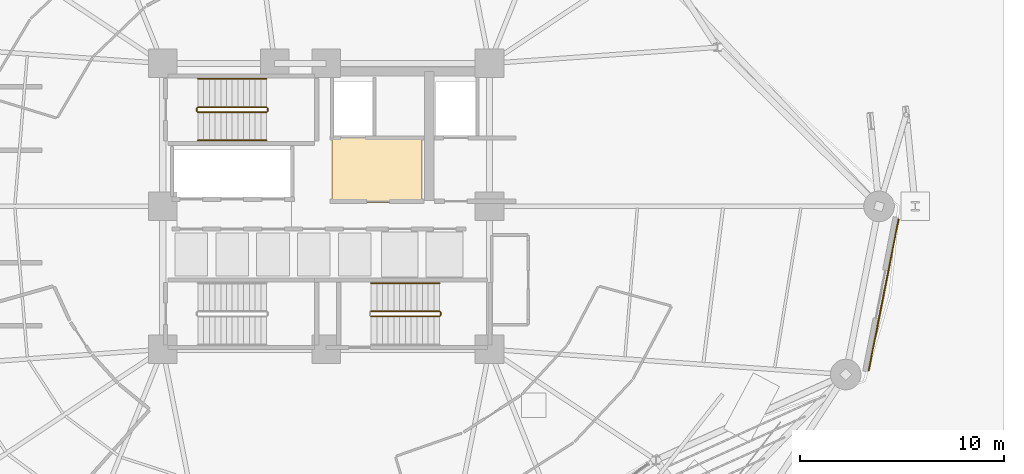
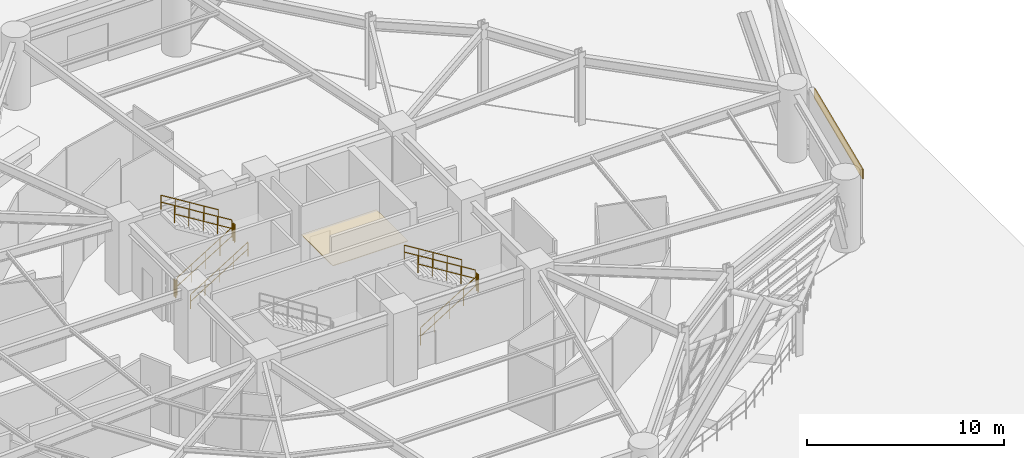
# One storey, part 37 of 40: 10 railings, 2 coverings.
"""IFC4 building model written with IfcOpenShell, lengths in metres."""

from ifc_helpers import new_model, si_unit, direction, frame, origin, origin_2d, place, context, subcontext, project, spatial, polyline, rectangle, outline, extrude, source, transform, mapped, material, layer, layer_set, type_object, element, save


model = new_model("IFC4")

# Units and contexts
model_context = context("Model", 3, precision=1e-05, world=origin(), true_north=direction((0.0, 1.0)))
body_context = subcontext(model_context, "Body", "Model", "MODEL_VIEW")
ifc_project = project(units=[si_unit("LENGTHUNIT", "METRE"), si_unit("AREAUNIT", "SQUARE_METRE"), si_unit("VOLUMEUNIT", "CUBIC_METRE"), si_unit("PLANEANGLEUNIT", "RADIAN"), si_unit("MASSUNIT", "GRAM", prefix="KILO")], contexts=[model_context])

# Site, building, storey
site_placement = place(None, origin())
site = spatial("IfcSite", under=ifc_project, at=site_placement, CompositionType="ELEMENT")
building_placement = place(site_placement, origin())
building = spatial("IfcBuilding", under=site, at=building_placement, Name="Kelanora Arch Commons", CompositionType="ELEMENT")
storey_placement = place(building_placement, origin())
storey = spatial("IfcBuildingStorey", under=building, at=storey_placement, Name="L00", CompositionType="ELEMENT", Elevation=0.0)

# Railings
ifc_material_1 = material(Name="Painted steel stair well guard", Category="steel")
railing_type_1 = type_object("IfcRailingType", Name="RAIL-STAIR-GRD", PredefinedType="GUARDRAIL", material=ifc_material_1)
railing_1_placement = place(storey_placement, frame((67.719970703125, 62.610107421875, 0.173095703125)))
element("IfcRailing", 1, at=railing_1_placement, inside=storey, type_object=railing_type_1, Name="L00 ST-T1 stair guard 1", PredefinedType="GUARDRAIL", context=body_context, shape_type="SweptSolid", body=[
    extrude(outline(polyline([(0.02392578125, 0.0), (0.011962890625, 0.020751953125), (-0.011962890625, 0.020751953125), (-0.02392578125, 0.0), (-0.011962890625, -0.020751953125), (0.011962890625, -0.020751953125), (0.02392578125, 0.0)])), frame((0.0, 0.0, 1.076171875), z_axis=(0.850623216509, 0.0, 0.525775754039), x_axis=(0.0, 1.0, 0.0)), (0.0, 0.0, 1.0), 3.9501953125),
    extrude(outline(polyline([(0.02392578125, 0.0), (0.011962890625, 0.020751953125), (-0.011962890625, 0.020751953125), (-0.02392578125, 0.0), (-0.011962890625, -0.020751953125), (0.011962890625, -0.020751953125), (0.02392578125, 0.0)])), frame((0.0, 0.0, 0.550048828125), z_axis=(0.850623216509, 0.0, 0.525775754039), x_axis=(0.0, 1.0, 0.0)), (0.0, 0.0, 1.0), 3.9501953125),
    extrude(outline(polyline([(0.02099609375, 0.0), (0.010498046875, 0.01806640625), (-0.010498046875, 0.01806640625), (-0.02099609375, 0.0), (-0.010498046875, -0.01806640625), (0.010498046875, -0.01806640625), (0.02099609375, 0.0)])), origin(), (0.0, 0.0, 1.0), 1.052001953125),
    extrude(outline(polyline([(0.02099609375, 0.0), (0.010498046875, 0.01806640625), (-0.010498046875, 0.01806640625), (-0.02099609375, 0.0), (-0.010498046875, -0.01806640625), (0.010498046875, -0.01806640625), (0.02099609375, 0.0)])), frame((0.840087890625, 0.0, 0.519287109375)), (0.0, 0.0, 1.0), 1.052001953125),
    extrude(outline(polyline([(0.02099609375, 0.0), (0.010498046875, 0.01806640625), (-0.010498046875, 0.01806640625), (-0.02099609375, 0.0), (-0.010498046875, -0.01806640625), (0.010498046875, -0.01806640625), (0.02099609375, 0.0)])), frame((1.68017578125, 0.0, 1.03857421875)), (0.0, 0.0, 1.0), 1.052001953125),
    extrude(outline(polyline([(0.02099609375, 0.0), (0.010498046875, 0.01806640625), (-0.010498046875, 0.01806640625), (-0.02099609375, 0.0), (-0.010498046875, -0.01806640625), (0.010498046875, -0.01806640625), (0.02099609375, 0.0)])), frame((2.52001953125, 0.0, 1.5576171875)), (0.0, 0.0, 1.0), 1.052001953125),
    extrude(outline(polyline([(0.02099609375, 0.0), (0.010498046875, 0.01806640625), (-0.010498046875, 0.01806640625), (-0.02099609375, 0.0), (-0.010498046875, -0.01806640625), (0.010498046875, -0.01806640625), (0.02099609375, 0.0)])), frame((3.360107421875, 0.0, 2.076904296875)), (0.0, 0.0, 1.0), 1.052001953125),
])
railing_2_placement = place(storey_placement, frame((71.1298828125, 62.659912109375, 2.25)))
element("IfcRailing", 2, at=railing_2_placement, inside=storey, type_object=railing_type_1, Name="L00 ST-T1 stair guard 2", PredefinedType="GUARDRAIL", context=body_context, shape_type="SweptSolid", body=[
    extrude(outline(polyline([(0.02392578125, 0.0), (0.011962890625, 0.020751953125), (-0.011962890625, 0.020751953125), (-0.02392578125, 0.0), (-0.011962890625, -0.020751953125), (0.011962890625, -0.020751953125), (0.02392578125, 0.0)])), frame((0.0, 0.0, 1.076171875), z_axis=(0.0, 1.0, 0.0), x_axis=(-1.0, 0.0, 0.0)), (0.0, 0.0, 1.0), 0.150146484375),
    extrude(outline(polyline([(0.02392578125, 0.0), (0.011962890625, 0.020751953125), (-0.011962890625, 0.020751953125), (-0.02392578125, 0.0), (-0.011962890625, -0.020751953125), (0.011962890625, -0.020751953125), (0.02392578125, 0.0)])), frame((0.0, 0.0, 0.550048828125), z_axis=(0.0, 1.0, 0.0), x_axis=(-1.0, 0.0, 0.0)), (0.0, 0.0, 1.0), 0.150146484375),
    extrude(outline(polyline([(0.02099609375, 0.0), (0.010498046875, 0.01806640625), (-0.010498046875, 0.01806640625), (-0.02099609375, 0.0), (-0.010498046875, -0.01806640625), (0.010498046875, -0.01806640625), (0.02099609375, 0.0)])), origin(), (0.0, 0.0, 1.0), 1.052001953125),
    extrude(outline(polyline([(0.02099609375, 0.0), (0.010498046875, 0.01806640625), (-0.010498046875, 0.01806640625), (-0.02099609375, 0.0), (-0.010498046875, -0.01806640625), (0.010498046875, -0.01806640625), (0.02099609375, 0.0)])), frame((0.0, 0.150146484375, 0.0)), (0.0, 0.0, 1.0), 1.052001953125),
])
railing_3_placement = place(storey_placement, frame((71.080078125, 62.860107421875, 2.423095703125)))
element("IfcRailing", 3, at=railing_3_placement, inside=storey, type_object=railing_type_1, Name="L00 ST-T1 stair guard 3", PredefinedType="GUARDRAIL", context=body_context, shape_type="SweptSolid", body=[
    extrude(outline(polyline([(0.02392578125, 0.0), (0.011962890625, 0.020751953125), (-0.011962890625, 0.020751953125), (-0.02392578125, 0.0), (-0.011962890625, -0.020751953125), (0.011962890625, -0.020751953125), (0.02392578125, 0.0)])), frame((0.0, 0.0, 1.076171875), z_axis=(-0.850623216509, 0.0, 0.525775754039), x_axis=(0.0, -1.0, 0.0)), (0.0, 0.0, 1.0), 3.9501953125),
    extrude(outline(polyline([(0.02392578125, 0.0), (0.011962890625, 0.020751953125), (-0.011962890625, 0.020751953125), (-0.02392578125, 0.0), (-0.011962890625, -0.020751953125), (0.011962890625, -0.020751953125), (0.02392578125, 0.0)])), frame((0.0, 0.0, 0.550048828125), z_axis=(-0.850623216509, 0.0, 0.525775754039), x_axis=(0.0, -1.0, 0.0)), (0.0, 0.0, 1.0), 3.9501953125),
    extrude(outline(polyline([(0.02099609375, 0.0), (0.010498046875, 0.01806640625), (-0.010498046875, 0.01806640625), (-0.02099609375, 0.0), (-0.010498046875, -0.01806640625), (0.010498046875, -0.01806640625), (0.02099609375, 0.0)])), origin(), (0.0, 0.0, 1.0), 1.052001953125),
    extrude(outline(polyline([(0.02099609375, 0.0), (0.010498046875, 0.01806640625), (-0.010498046875, 0.01806640625), (-0.02099609375, 0.0), (-0.010498046875, -0.01806640625), (0.010498046875, -0.01806640625), (0.02099609375, 0.0)])), frame((-0.840087890625, 0.0, 0.519287109375)), (0.0, 0.0, 1.0), 1.052001953125),
    extrude(outline(polyline([(0.02099609375, 0.0), (0.010498046875, 0.01806640625), (-0.010498046875, 0.01806640625), (-0.02099609375, 0.0), (-0.010498046875, -0.01806640625), (0.010498046875, -0.01806640625), (0.02099609375, 0.0)])), frame((-1.68017578125, 0.0, 1.03857421875)), (0.0, 0.0, 1.0), 1.052001953125),
    extrude(outline(polyline([(0.02099609375, 0.0), (0.010498046875, 0.01806640625), (-0.010498046875, 0.01806640625), (-0.02099609375, 0.0), (-0.010498046875, -0.01806640625), (0.010498046875, -0.01806640625), (0.02099609375, 0.0)])), frame((-2.52001953125, 0.0, 1.5576171875)), (0.0, 0.0, 1.0), 1.052001953125),
    extrude(outline(polyline([(0.02099609375, 0.0), (0.010498046875, 0.01806640625), (-0.010498046875, 0.01806640625), (-0.02099609375, 0.0), (-0.010498046875, -0.01806640625), (0.010498046875, -0.01806640625), (0.02099609375, 0.0)])), frame((-3.360107421875, 0.0, 2.076904296875)), (0.0, 0.0, 1.0), 1.052001953125),
])
railing_4_placement = place(storey_placement, frame((67.669921875, 62.659912109375, 0.0)))
element("IfcRailing", 4, at=railing_4_placement, inside=storey, type_object=railing_type_1, Name="L00 ST-T1 stair guard 4", PredefinedType="GUARDRAIL", context=body_context, shape_type="SweptSolid", body=[
    extrude(outline(polyline([(0.02392578125, 0.0), (0.011962890625, 0.020751953125), (-0.011962890625, 0.020751953125), (-0.02392578125, 0.0), (-0.011962890625, -0.020751953125), (0.011962890625, -0.020751953125), (0.02392578125, 0.0)])), frame((0.0, 0.0, 1.076171875), z_axis=(0.0, 1.0, 0.0), x_axis=(-1.0, 0.0, 0.0)), (0.0, 0.0, 1.0), 0.150146484375),
    extrude(outline(polyline([(0.02392578125, 0.0), (0.011962890625, 0.020751953125), (-0.011962890625, 0.020751953125), (-0.02392578125, 0.0), (-0.011962890625, -0.020751953125), (0.011962890625, -0.020751953125), (0.02392578125, 0.0)])), frame((0.0, 0.0, 0.550048828125), z_axis=(0.0, 1.0, 0.0), x_axis=(-1.0, 0.0, 0.0)), (0.0, 0.0, 1.0), 0.150146484375),
    extrude(outline(polyline([(0.02099609375, 0.0), (0.010498046875, 0.01806640625), (-0.010498046875, 0.01806640625), (-0.02099609375, 0.0), (-0.010498046875, -0.01806640625), (0.010498046875, -0.01806640625), (0.02099609375, 0.0)])), origin(), (0.0, 0.0, 1.0), 1.052001953125),
    extrude(outline(polyline([(0.02099609375, 0.0), (0.010498046875, 0.01806640625), (-0.010498046875, 0.01806640625), (-0.02099609375, 0.0), (-0.010498046875, -0.01806640625), (0.010498046875, -0.01806640625), (0.02099609375, 0.0)])), frame((0.0, 0.150146484375, 0.0)), (0.0, 0.0, 1.0), 1.052001953125),
])
railing_5_placement = place(storey_placement, frame((76.199951171875, 52.610107421875, 0.173095703125)))
element("IfcRailing", 5, at=railing_5_placement, inside=storey, type_object=railing_type_1, Name="L00 ST-T2 stair guard 1", PredefinedType="GUARDRAIL", context=body_context, shape_type="SweptSolid", body=[
    extrude(outline(polyline([(0.02392578125, 0.0), (0.011962890625, 0.020751953125), (-0.011962890625, 0.020751953125), (-0.02392578125, 0.0), (-0.011962890625, -0.020751953125), (0.011962890625, -0.020751953125), (0.02392578125, 0.0)])), frame((0.0, 0.0, 1.076171875), z_axis=(0.850623216509, 0.0, 0.525775754039), x_axis=(0.0, 1.0, 0.0)), (0.0, 0.0, 1.0), 3.9501953125),
    extrude(outline(polyline([(0.02392578125, 0.0), (0.011962890625, 0.020751953125), (-0.011962890625, 0.020751953125), (-0.02392578125, 0.0), (-0.011962890625, -0.020751953125), (0.011962890625, -0.020751953125), (0.02392578125, 0.0)])), frame((0.0, 0.0, 0.550048828125), z_axis=(0.850623216509, 0.0, 0.525775754039), x_axis=(0.0, 1.0, 0.0)), (0.0, 0.0, 1.0), 3.9501953125),
    extrude(outline(polyline([(0.02099609375, 0.0), (0.010498046875, 0.01806640625), (-0.010498046875, 0.01806640625), (-0.02099609375, 0.0), (-0.010498046875, -0.01806640625), (0.010498046875, -0.01806640625), (0.02099609375, 0.0)])), origin(), (0.0, 0.0, 1.0), 1.052001953125),
    extrude(outline(polyline([(0.02099609375, 0.0), (0.010498046875, 0.01806640625), (-0.010498046875, 0.01806640625), (-0.02099609375, 0.0), (-0.010498046875, -0.01806640625), (0.010498046875, -0.01806640625), (0.02099609375, 0.0)])), frame((0.840087890625, 0.0, 0.519287109375)), (0.0, 0.0, 1.0), 1.052001953125),
    extrude(outline(polyline([(0.02099609375, 0.0), (0.010498046875, 0.01806640625), (-0.010498046875, 0.01806640625), (-0.02099609375, 0.0), (-0.010498046875, -0.01806640625), (0.010498046875, -0.01806640625), (0.02099609375, 0.0)])), frame((1.68017578125, 0.0, 1.03857421875)), (0.0, 0.0, 1.0), 1.052001953125),
    extrude(outline(polyline([(0.02099609375, 0.0), (0.010498046875, 0.01806640625), (-0.010498046875, 0.01806640625), (-0.02099609375, 0.0), (-0.010498046875, -0.01806640625), (0.010498046875, -0.01806640625), (0.02099609375, 0.0)])), frame((2.52001953125, 0.0, 1.5576171875)), (0.0, 0.0, 1.0), 1.052001953125),
    extrude(outline(polyline([(0.02099609375, 0.0), (0.010498046875, 0.01806640625), (-0.010498046875, 0.01806640625), (-0.02099609375, 0.0), (-0.010498046875, -0.01806640625), (0.010498046875, -0.01806640625), (0.02099609375, 0.0)])), frame((3.360107421875, 0.0, 2.076904296875)), (0.0, 0.0, 1.0), 1.052001953125),
])
railing_6_placement = place(storey_placement, frame((79.610107421875, 52.659912109375, 2.25)))
element("IfcRailing", 6, at=railing_6_placement, inside=storey, type_object=railing_type_1, Name="L00 ST-T2 stair guard 2", PredefinedType="GUARDRAIL", context=body_context, shape_type="SweptSolid", body=[
    extrude(outline(polyline([(0.02392578125, 0.0), (0.011962890625, 0.020751953125), (-0.011962890625, 0.020751953125), (-0.02392578125, 0.0), (-0.011962890625, -0.020751953125), (0.011962890625, -0.020751953125), (0.02392578125, 0.0)])), frame((0.0, 0.0, 1.076171875), z_axis=(0.0, 1.0, 0.0), x_axis=(-1.0, 0.0, 0.0)), (0.0, 0.0, 1.0), 0.150146484375),
    extrude(outline(polyline([(0.02392578125, 0.0), (0.011962890625, 0.020751953125), (-0.011962890625, 0.020751953125), (-0.02392578125, 0.0), (-0.011962890625, -0.020751953125), (0.011962890625, -0.020751953125), (0.02392578125, 0.0)])), frame((0.0, 0.0, 0.550048828125), z_axis=(0.0, 1.0, 0.0), x_axis=(-1.0, 0.0, 0.0)), (0.0, 0.0, 1.0), 0.150146484375),
    extrude(outline(polyline([(0.02099609375, 0.0), (0.010498046875, 0.01806640625), (-0.010498046875, 0.01806640625), (-0.02099609375, 0.0), (-0.010498046875, -0.01806640625), (0.010498046875, -0.01806640625), (0.02099609375, 0.0)])), origin(), (0.0, 0.0, 1.0), 1.052001953125),
    extrude(outline(polyline([(0.02099609375, 0.0), (0.010498046875, 0.01806640625), (-0.010498046875, 0.01806640625), (-0.02099609375, 0.0), (-0.010498046875, -0.01806640625), (0.010498046875, -0.01806640625), (0.02099609375, 0.0)])), frame((0.0, 0.150146484375, 0.0)), (0.0, 0.0, 1.0), 1.052001953125),
])
railing_7_placement = place(storey_placement, frame((79.56005859375, 52.860107421875, 2.423095703125)))
element("IfcRailing", 7, at=railing_7_placement, inside=storey, type_object=railing_type_1, Name="L00 ST-T2 stair guard 3", PredefinedType="GUARDRAIL", context=body_context, shape_type="SweptSolid", body=[
    extrude(outline(polyline([(0.02392578125, 0.0), (0.011962890625, 0.020751953125), (-0.011962890625, 0.020751953125), (-0.02392578125, 0.0), (-0.011962890625, -0.020751953125), (0.011962890625, -0.020751953125), (0.02392578125, 0.0)])), frame((0.0, 0.0, 1.076171875), z_axis=(-0.850623216509, 0.0, 0.525775754039), x_axis=(0.0, -1.0, 0.0)), (0.0, 0.0, 1.0), 3.9501953125),
    extrude(outline(polyline([(0.02392578125, 0.0), (0.011962890625, 0.020751953125), (-0.011962890625, 0.020751953125), (-0.02392578125, 0.0), (-0.011962890625, -0.020751953125), (0.011962890625, -0.020751953125), (0.02392578125, 0.0)])), frame((0.0, 0.0, 0.550048828125), z_axis=(-0.850623216509, 0.0, 0.525775754039), x_axis=(0.0, -1.0, 0.0)), (0.0, 0.0, 1.0), 3.9501953125),
    extrude(outline(polyline([(0.02099609375, 0.0), (0.010498046875, 0.01806640625), (-0.010498046875, 0.01806640625), (-0.02099609375, 0.0), (-0.010498046875, -0.01806640625), (0.010498046875, -0.01806640625), (0.02099609375, 0.0)])), origin(), (0.0, 0.0, 1.0), 1.052001953125),
    extrude(outline(polyline([(0.02099609375, 0.0), (0.010498046875, 0.01806640625), (-0.010498046875, 0.01806640625), (-0.02099609375, 0.0), (-0.010498046875, -0.01806640625), (0.010498046875, -0.01806640625), (0.02099609375, 0.0)])), frame((-0.840087890625, 0.0, 0.519287109375)), (0.0, 0.0, 1.0), 1.052001953125),
    extrude(outline(polyline([(0.02099609375, 0.0), (0.010498046875, 0.01806640625), (-0.010498046875, 0.01806640625), (-0.02099609375, 0.0), (-0.010498046875, -0.01806640625), (0.010498046875, -0.01806640625), (0.02099609375, 0.0)])), frame((-1.68017578125, 0.0, 1.03857421875)), (0.0, 0.0, 1.0), 1.052001953125),
    extrude(outline(polyline([(0.02099609375, 0.0), (0.010498046875, 0.01806640625), (-0.010498046875, 0.01806640625), (-0.02099609375, 0.0), (-0.010498046875, -0.01806640625), (0.010498046875, -0.01806640625), (0.02099609375, 0.0)])), frame((-2.52001953125, 0.0, 1.5576171875)), (0.0, 0.0, 1.0), 1.052001953125),
    extrude(outline(polyline([(0.02099609375, 0.0), (0.010498046875, 0.01806640625), (-0.010498046875, 0.01806640625), (-0.02099609375, 0.0), (-0.010498046875, -0.01806640625), (0.010498046875, -0.01806640625), (0.02099609375, 0.0)])), frame((-3.360107421875, 0.0, 2.076904296875)), (0.0, 0.0, 1.0), 1.052001953125),
])
ifc_material_2 = material(Name="Brushed stainless steel stair handrail", Category="steel")
railing_type_2 = type_object("IfcRailingType", Name="RAIL-STAIR-HND", PredefinedType="HANDRAIL", material=ifc_material_2)
railing_8_placement = place(storey_placement, frame((67.719970703125, 61.22998046875, 0.173095703125)))
element("IfcRailing", 8, at=railing_8_placement, inside=storey, type_object=railing_type_2, Name="L00 ST-T1 stair handrail 1", PredefinedType="HANDRAIL", context=body_context, shape_type="SweptSolid", body=[
    extrude(outline(polyline([(0.02392578125, 0.0), (0.011962890625, 0.020751953125), (-0.011962890625, 0.020751953125), (-0.02392578125, 0.0), (-0.011962890625, -0.020751953125), (0.011962890625, -0.020751953125), (0.02392578125, 0.0)])), frame((0.0, 0.0, 0.8759765625), z_axis=(0.850623216509, 0.0, 0.525775754039), x_axis=(0.0, 1.0, 0.0)), (0.0, 0.0, 1.0), 3.9501953125),
    extrude(outline(polyline([(0.02392578125, 0.0), (0.011962890625, 0.020751953125), (-0.011962890625, 0.020751953125), (-0.02392578125, 0.0), (-0.011962890625, -0.020751953125), (0.011962890625, -0.020751953125), (0.02392578125, 0.0)])), frame((0.0, 0.0, 0.449951171875), z_axis=(0.850623216509, 0.0, 0.525775754039), x_axis=(0.0, 1.0, 0.0)), (0.0, 0.0, 1.0), 3.9501953125),
    extrude(outline(polyline([(0.02099609375, 0.0), (0.010498046875, 0.01806640625), (-0.010498046875, 0.01806640625), (-0.02099609375, 0.0), (-0.010498046875, -0.01806640625), (0.010498046875, -0.01806640625), (0.02099609375, 0.0)])), origin(), (0.0, 0.0, 1.0), 0.851806640625),
    extrude(outline(polyline([(0.02099609375, 0.0), (0.010498046875, 0.01806640625), (-0.010498046875, 0.01806640625), (-0.02099609375, 0.0), (-0.010498046875, -0.01806640625), (0.010498046875, -0.01806640625), (0.02099609375, 0.0)])), frame((0.840087890625, 0.0, 0.519287109375)), (0.0, 0.0, 1.0), 0.851806640625),
    extrude(outline(polyline([(0.02099609375, 0.0), (0.010498046875, 0.01806640625), (-0.010498046875, 0.01806640625), (-0.02099609375, 0.0), (-0.010498046875, -0.01806640625), (0.010498046875, -0.01806640625), (0.02099609375, 0.0)])), frame((1.68017578125, 0.0, 1.03857421875)), (0.0, 0.0, 1.0), 0.851806640625),
    extrude(outline(polyline([(0.02099609375, 0.0), (0.010498046875, 0.01806640625), (-0.010498046875, 0.01806640625), (-0.02099609375, 0.0), (-0.010498046875, -0.01806640625), (0.010498046875, -0.01806640625), (0.02099609375, 0.0)])), frame((2.52001953125, 0.0, 1.5576171875)), (0.0, 0.0, 1.0), 0.851806640625),
    extrude(outline(polyline([(0.02099609375, 0.0), (0.010498046875, 0.01806640625), (-0.010498046875, 0.01806640625), (-0.02099609375, 0.0), (-0.010498046875, -0.01806640625), (0.010498046875, -0.01806640625), (0.02099609375, 0.0)])), frame((3.360107421875, 0.0, 2.076904296875)), (0.0, 0.0, 1.0), 0.851806640625),
])
railing_9_placement = place(storey_placement, frame((71.080078125, 64.239990234375, 2.423095703125)))
element("IfcRailing", 9, at=railing_9_placement, inside=storey, type_object=railing_type_2, Name="L00 ST-T1 stair handrail 2", PredefinedType="HANDRAIL", context=body_context, shape_type="SweptSolid", body=[
    extrude(outline(polyline([(0.02392578125, 0.0), (0.011962890625, 0.020751953125), (-0.011962890625, 0.020751953125), (-0.02392578125, 0.0), (-0.011962890625, -0.020751953125), (0.011962890625, -0.020751953125), (0.02392578125, 0.0)])), frame((0.0, 0.0, 0.8759765625), z_axis=(-0.850623216509, 0.0, 0.525775754039), x_axis=(0.0, -1.0, 0.0)), (0.0, 0.0, 1.0), 3.9501953125),
    extrude(outline(polyline([(0.02392578125, 0.0), (0.011962890625, 0.020751953125), (-0.011962890625, 0.020751953125), (-0.02392578125, 0.0), (-0.011962890625, -0.020751953125), (0.011962890625, -0.020751953125), (0.02392578125, 0.0)])), frame((0.0, 0.0, 0.449951171875), z_axis=(-0.850623216509, 0.0, 0.525775754039), x_axis=(0.0, -1.0, 0.0)), (0.0, 0.0, 1.0), 3.9501953125),
    extrude(outline(polyline([(0.02099609375, 0.0), (0.010498046875, 0.01806640625), (-0.010498046875, 0.01806640625), (-0.02099609375, 0.0), (-0.010498046875, -0.01806640625), (0.010498046875, -0.01806640625), (0.02099609375, 0.0)])), origin(), (0.0, 0.0, 1.0), 0.851806640625),
    extrude(outline(polyline([(0.02099609375, 0.0), (0.010498046875, 0.01806640625), (-0.010498046875, 0.01806640625), (-0.02099609375, 0.0), (-0.010498046875, -0.01806640625), (0.010498046875, -0.01806640625), (0.02099609375, 0.0)])), frame((-0.840087890625, 0.0, 0.519287109375)), (0.0, 0.0, 1.0), 0.851806640625),
    extrude(outline(polyline([(0.02099609375, 0.0), (0.010498046875, 0.01806640625), (-0.010498046875, 0.01806640625), (-0.02099609375, 0.0), (-0.010498046875, -0.01806640625), (0.010498046875, -0.01806640625), (0.02099609375, 0.0)])), frame((-1.68017578125, 0.0, 1.03857421875)), (0.0, 0.0, 1.0), 0.851806640625),
    extrude(outline(polyline([(0.02099609375, 0.0), (0.010498046875, 0.01806640625), (-0.010498046875, 0.01806640625), (-0.02099609375, 0.0), (-0.010498046875, -0.01806640625), (0.010498046875, -0.01806640625), (0.02099609375, 0.0)])), frame((-2.52001953125, 0.0, 1.5576171875)), (0.0, 0.0, 1.0), 0.851806640625),
    extrude(outline(polyline([(0.02099609375, 0.0), (0.010498046875, 0.01806640625), (-0.010498046875, 0.01806640625), (-0.02099609375, 0.0), (-0.010498046875, -0.01806640625), (0.010498046875, -0.01806640625), (0.02099609375, 0.0)])), frame((-3.360107421875, 0.0, 2.076904296875)), (0.0, 0.0, 1.0), 0.851806640625),
])
railing_10_placement = place(storey_placement, frame((79.56005859375, 54.239990234375, 2.423095703125)))
element("IfcRailing", 10, at=railing_10_placement, inside=storey, type_object=railing_type_2, Name="L00 ST-T2 stair handrail 2", PredefinedType="HANDRAIL", context=body_context, shape_type="SweptSolid", body=[
    extrude(outline(polyline([(0.02392578125, 0.0), (0.011962890625, 0.020751953125), (-0.011962890625, 0.020751953125), (-0.02392578125, 0.0), (-0.011962890625, -0.020751953125), (0.011962890625, -0.020751953125), (0.02392578125, 0.0)])), frame((0.0, 0.0, 0.8759765625), z_axis=(-0.850623216509, 0.0, 0.525775754039), x_axis=(0.0, -1.0, 0.0)), (0.0, 0.0, 1.0), 3.9501953125),
    extrude(outline(polyline([(0.02392578125, 0.0), (0.011962890625, 0.020751953125), (-0.011962890625, 0.020751953125), (-0.02392578125, 0.0), (-0.011962890625, -0.020751953125), (0.011962890625, -0.020751953125), (0.02392578125, 0.0)])), frame((0.0, 0.0, 0.449951171875), z_axis=(-0.850623216509, 0.0, 0.525775754039), x_axis=(0.0, -1.0, 0.0)), (0.0, 0.0, 1.0), 3.9501953125),
    extrude(outline(polyline([(0.02099609375, 0.0), (0.010498046875, 0.01806640625), (-0.010498046875, 0.01806640625), (-0.02099609375, 0.0), (-0.010498046875, -0.01806640625), (0.010498046875, -0.01806640625), (0.02099609375, 0.0)])), origin(), (0.0, 0.0, 1.0), 0.851806640625),
    extrude(outline(polyline([(0.02099609375, 0.0), (0.010498046875, 0.01806640625), (-0.010498046875, 0.01806640625), (-0.02099609375, 0.0), (-0.010498046875, -0.01806640625), (0.010498046875, -0.01806640625), (0.02099609375, 0.0)])), frame((-0.840087890625, 0.0, 0.519287109375)), (0.0, 0.0, 1.0), 0.851806640625),
    extrude(outline(polyline([(0.02099609375, 0.0), (0.010498046875, 0.01806640625), (-0.010498046875, 0.01806640625), (-0.02099609375, 0.0), (-0.010498046875, -0.01806640625), (0.010498046875, -0.01806640625), (0.02099609375, 0.0)])), frame((-1.68017578125, 0.0, 1.03857421875)), (0.0, 0.0, 1.0), 0.851806640625),
    extrude(outline(polyline([(0.02099609375, 0.0), (0.010498046875, 0.01806640625), (-0.010498046875, 0.01806640625), (-0.02099609375, 0.0), (-0.010498046875, -0.01806640625), (0.010498046875, -0.01806640625), (0.02099609375, 0.0)])), frame((-2.52001953125, 0.0, 1.5576171875)), (0.0, 0.0, 1.0), 0.851806640625),
    extrude(outline(polyline([(0.02099609375, 0.0), (0.010498046875, 0.01806640625), (-0.010498046875, 0.01806640625), (-0.02099609375, 0.0), (-0.010498046875, -0.01806640625), (0.010498046875, -0.01806640625), (0.02099609375, 0.0)])), frame((-3.360107421875, 0.0, 2.076904296875)), (0.0, 0.0, 1.0), 0.851806640625),
])

# Coverings
ifc_material_3 = material(Name="Glazed architectural terracotta spandrel cladding", Category="masonry")
ifc_layer_1 = layer(ifc_material_3, 0.06005859375)
ifc_layer_set_1 = layer_set([ifc_layer_1], Name="Glazed architectural terracotta spandrel cladding")
covering_type_1 = type_object("IfcCoveringType", Name="COV-CLAD-TC", PredefinedType="CLADDING", material=ifc_layer_set_1)
shared_shape_1 = source(origin(), body_context, "Body", "SweptSolid", [
    extrude(rectangle(XDim=7.58251953125, YDim=0.06005859375, at=origin_2d()), origin(), (0.0, 0.0, 1.0), 0.60009765625),
])
covering_1_placement = place(storey_placement, frame((101.305419921875, 53.66748046875, 3.534912109375), z_axis=(0.0, 0.0, 1.0), x_axis=(0.19374368704, 0.981052181962, 0.0)))
element("IfcCovering", 11, at=covering_1_placement, inside=storey, type_object=covering_type_1, Name="Terracotta Spandrel Cladding L00-B17", PredefinedType="CLADDING", context=body_context, shape_type="MappedRepresentation", body=[
    mapped(shared_shape_1, transform((0.0, 0.0, 0.0), scale=1.0)),
])
ifc_material_4 = material(Name="Perforated acoustic mineral-fibre ceiling")
ifc_layer_2 = layer(ifc_material_4, 0.0400390625)
ifc_layer_set_2 = layer_set([ifc_layer_2], Name="Perforated acoustic mineral-fibre ceiling")
covering_type_2 = type_object("IfcCoveringType", Name="COV-CEIL-AC", PredefinedType="CEILING", material=ifc_layer_set_2)
shared_shape_2 = source(origin(), body_context, "Body", "SweptSolid", [
    extrude(rectangle(XDim=4.39990234375, YDim=3.199951171875, at=origin_2d()), origin(), (0.0, 0.0, 1.0), 0.0400390625),
])
covering_2_placement = place(storey_placement, frame((76.5, 59.800048828125, 2.330078125), z_axis=(0.0, 0.0, 1.0), x_axis=(1.0, 0.0, 0.0)))
element("IfcCovering", 12, at=covering_2_placement, inside=storey, type_object=covering_type_2, Name="Firefighting Lobby Acoustic Ceiling L00", PredefinedType="CEILING", context=body_context, shape_type="MappedRepresentation", body=[
    mapped(shared_shape_2, transform((0.0, 0.0, 0.0), scale=1.0)),
])

save(model, "model.ifc")
